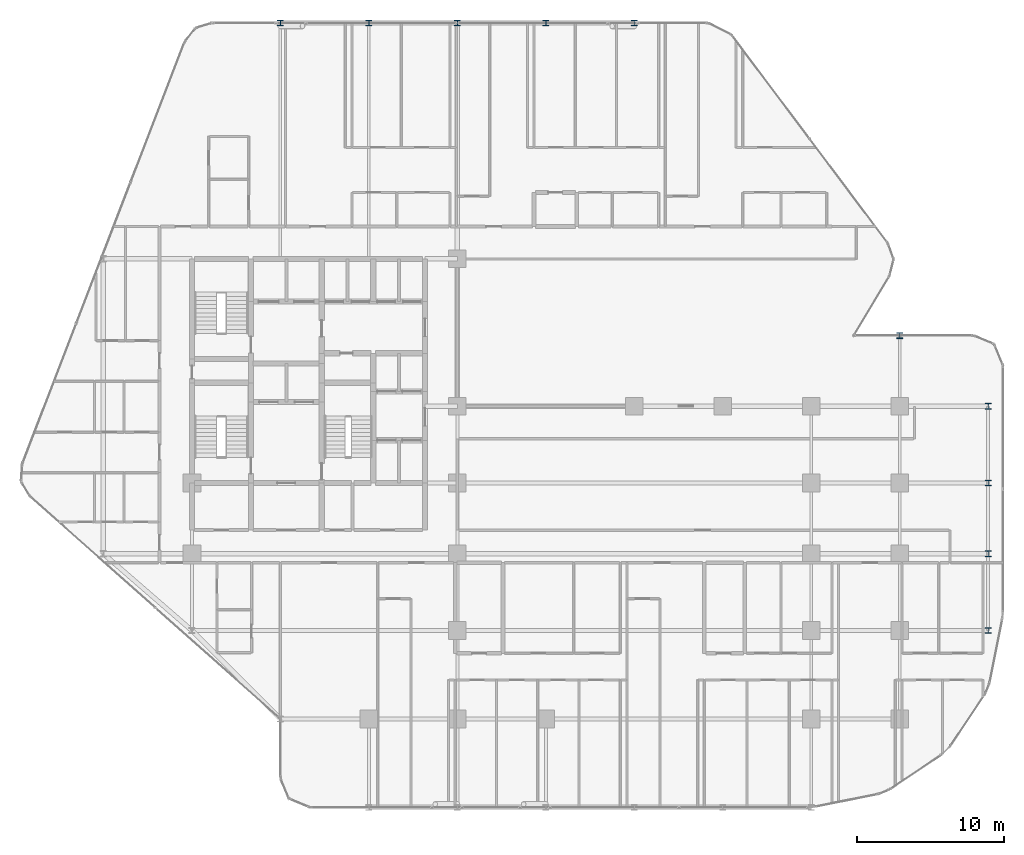
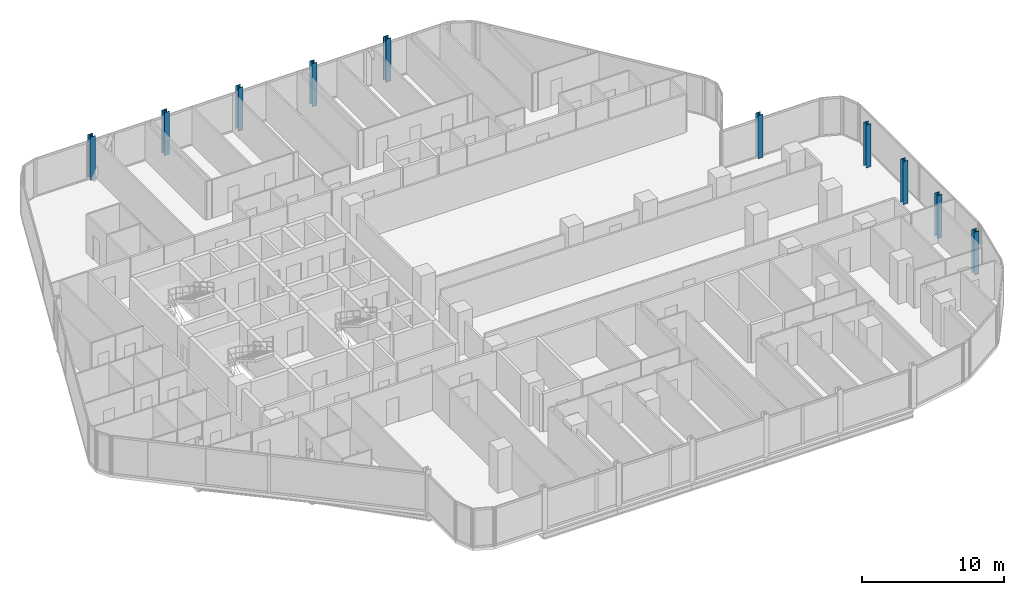
# One storey, part 2 of 33: 10 columns.
"""IFC4 building model written with IfcOpenShell, lengths in metres."""

from ifc_helpers import new_model, si_unit, direction, frame, origin, origin_2d, place, context, subcontext, project, spatial, i_section, extrude, material, material_profile, profile_set, type_object, element, save


model = new_model("IFC4")

# Units and contexts
model_context = context("Model", 3, precision=1e-05, world=origin(), true_north=direction((0.0, 1.0)))
body_context = subcontext(model_context, "Body", "Model", "MODEL_VIEW")
ifc_project = project(units=[si_unit("LENGTHUNIT", "METRE"), si_unit("AREAUNIT", "SQUARE_METRE"), si_unit("VOLUMEUNIT", "CUBIC_METRE"), si_unit("PLANEANGLEUNIT", "RADIAN"), si_unit("MASSUNIT", "GRAM", prefix="KILO")], contexts=[model_context])

# Site, building, storey
site_placement = place(None, origin())
site = spatial("IfcSite", under=ifc_project, at=site_placement, CompositionType="ELEMENT")
building_placement = place(site_placement, origin())
building = spatial("IfcBuilding", under=site, at=building_placement, Name="Keshet Zoharim Tower", CompositionType="ELEMENT")
storey_placement = place(building_placement, frame((0.0, 0.0, 57.300048828125)))
storey = spatial("IfcBuildingStorey", under=building, at=storey_placement, Name="L13", CompositionType="ELEMENT", Elevation=57.300048828125)

# Columns
ifc_material = material(Name="Steel S355", Category="steel")
ifc_material_profile = material_profile(ifc_material, i_section(OverallWidth=0.40087890625, OverallDepth=0.39892578125, WebThickness=0.02490234375, FlangeThickness=0.03955078125, FilletRadius=0.014892578125, at=origin_2d()), Name="HD400x314")
ifc_profile_set = profile_set([ifc_material_profile], Name="Steel S355")
column_type = type_object("IfcColumnType", Name="COL-HD314", PredefinedType="COLUMN", material=ifc_profile_set)
for number, where, z_axis, x_axis, name in (
    (1, (21.0, 53.89990234375, 0.0), (0.0, 0.0, 1.0), (1.0, 0.0, 0.0), "L13 Column 4L"),
    (2, (27.0, 53.89990234375, 0.0), (0.0, 0.0, 1.0), (1.0, 0.0, 0.0), "L13 Column 5L"),
    (3, (33.0, 53.89990234375, 0.0), (0.0, 0.0, 1.0), (1.0, 0.0, 0.0), "L13 Column 6L"),
    (4, (39.0, 53.89990234375, 0.0), (0.0, 0.0, 1.0), (1.0, 0.0, 0.0), "L13 Column 7L"),
    (5, (45.0, 53.89990234375, 0.0), (0.0, 0.0, 1.0), (1.0, 0.0, 0.0), "L13 Column 8L"),
    (6, (63.0, 32.699951171875, 0.0), (0.0, 0.0, 1.0), (1.0, 0.0, 0.0), "L13 Column 11G"),
    (7, (69.0, 12.699951171875, 0.0), (0.0, 0.0, 1.0), (1.0, 0.0, 0.0), "L13 Column 12C"),
    (8, (69.0, 17.89990234375, 0.0), (0.0, 0.0, 1.0), (1.0, 0.0, 0.0), "L13 Column 12D"),
    (9, (69.0, 22.699951171875, 0.0), (0.0, 0.0, 1.0), (1.0, 0.0, 0.0), "L13 Column 12E"),
    (10, (69.0, 27.89990234375, 0.0), (0.0, 0.0, 1.0), (1.0, 0.0, 0.0), "L13 Column 12F"),
):
    element("IfcColumn", number, at=place(storey_placement, frame(where, z_axis=z_axis, x_axis=x_axis)), inside=storey, type_object=column_type, Name=name, PredefinedType="COLUMN", context=body_context, shape_type="SweptSolid", body=[
        extrude(i_section(OverallWidth=0.40087890625, OverallDepth=0.39892578125, WebThickness=0.02490234375, FlangeThickness=0.03955078125, FilletRadius=0.014892578125, at=origin_2d()), origin(), (0.0, 0.0, 1.0), 3.699951171875),
    ])

save(model, "model.ifc")
